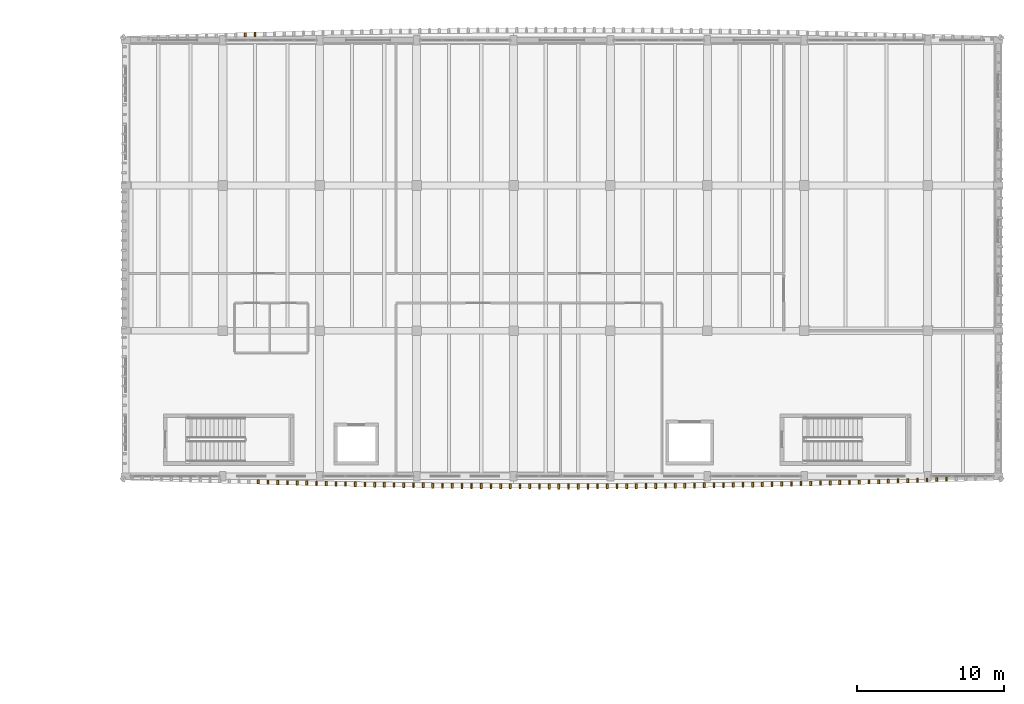
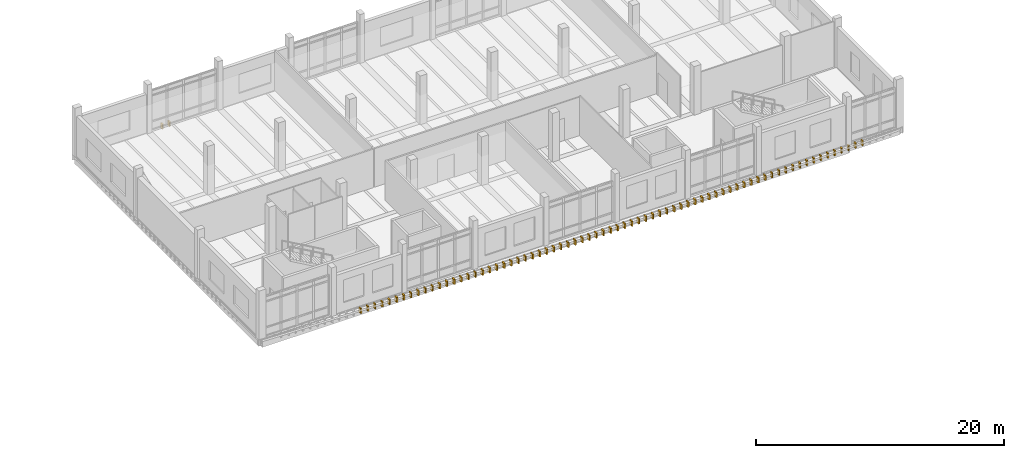
# One storey, part 47 of 50: 74 coverings.
"""IFC4 building model written with IfcOpenShell, lengths in metres."""

from ifc_helpers import new_model, si_unit, direction, frame, origin, origin_2d, place, context, subcontext, project, spatial, rectangle, extrude, material, layer, layer_set, type_object, element, save


model = new_model("IFC4")

# Units and contexts
model_context = context("Model", 3, precision=1e-05, world=origin(), true_north=direction((0.0, 1.0)))
body_context = subcontext(model_context, "Body", "Model", "MODEL_VIEW")
ifc_project = project(units=[si_unit("LENGTHUNIT", "METRE"), si_unit("AREAUNIT", "SQUARE_METRE"), si_unit("VOLUMEUNIT", "CUBIC_METRE"), si_unit("PLANEANGLEUNIT", "RADIAN"), si_unit("MASSUNIT", "GRAM", prefix="KILO")], contexts=[model_context])

# Site, building, storey
site_placement = place(None, origin())
site = spatial("IfcSite", under=ifc_project, at=site_placement, CompositionType="ELEMENT")
building_placement = place(site_placement, origin())
building = spatial("IfcBuilding", under=site, at=building_placement, Name="Dornvale Research Institute", CompositionType="ELEMENT")
storey_placement = place(building_placement, frame((0.0, 0.0, 19.800048828125)))
storey = spatial("IfcBuildingStorey", under=building, at=storey_placement, Name="L04", CompositionType="ELEMENT", Elevation=19.800048828125)

# Coverings
ifc_material = material(Name="Polychrome Glazed Terracotta Visor Rib Ceramic", Category="masonry")
ifc_layer = layer(ifc_material, 0.1201171875)
ifc_layer_set = layer_set([ifc_layer], Name="Polychrome Glazed Terracotta Visor Rib Ceramic")
covering_type = type_object("IfcCoveringType", Name="Covering_VisorBlade_Low", PredefinedType="CLADDING", material=ifc_layer_set)
covering_1_placement = place(storey_placement, frame((127.825439453125, 92.015869140625, -0.489990234375), z_axis=(0.0, 0.0, 1.0), x_axis=(0.0, 1.0, 0.0)))
element("IfcCovering", 1, at=covering_1_placement, inside=storey, type_object=covering_type, Name="L04 V4 canted glazed terracotta visor blade #2546", PredefinedType="CLADDING", context=body_context, shape_type="SweptSolid", body=[
    extrude(rectangle(XDim=0.281982421875, YDim=0.1201171875, at=origin_2d()), origin(), (0.0, 0.0, 1.0), 0.5),
])
covering_2_placement = place(storey_placement, frame((128.4853515625, 91.996337890625, -0.489990234375), z_axis=(0.0, 0.0, 1.0), x_axis=(0.0, 1.0, 0.0)))
element("IfcCovering", 2, at=covering_2_placement, inside=storey, type_object=covering_type, Name="L04 V4 canted glazed terracotta visor blade #2547", PredefinedType="CLADDING", context=body_context, shape_type="SweptSolid", body=[
    extrude(rectangle(XDim=0.287109375, YDim=0.1201171875, at=origin_2d()), origin(), (0.0, 0.0, 1.0), 0.5),
])
covering_3_placement = place(storey_placement, frame((129.14501953125, 91.977783203125, -0.489990234375), z_axis=(0.0, 0.0, 1.0), x_axis=(0.0, 1.0, 0.0)))
element("IfcCovering", 3, at=covering_3_placement, inside=storey, type_object=covering_type, Name="L04 V4 canted glazed terracotta visor blade #2548", PredefinedType="CLADDING", context=body_context, shape_type="SweptSolid", body=[
    extrude(rectangle(XDim=0.2919921875, YDim=0.1201171875, at=origin_2d()), origin(), (0.0, 0.0, 1.0), 0.5),
])
covering_4_placement = place(storey_placement, frame((129.804931640625, 91.959716796875, -0.489990234375), z_axis=(0.0, 0.0, 1.0), x_axis=(0.0, 1.0, 0.0)))
element("IfcCovering", 4, at=covering_4_placement, inside=storey, type_object=covering_type, Name="L04 V4 canted glazed terracotta visor blade #2549", PredefinedType="CLADDING", context=body_context, shape_type="SweptSolid", body=[
    extrude(rectangle(XDim=0.297119140625, YDim=0.1201171875, at=origin_2d()), origin(), (0.0, 0.0, 1.0), 0.5),
])
covering_5_placement = place(storey_placement, frame((130.464599609375, 91.9423828125, -0.489990234375), z_axis=(0.0, 0.0, 1.0), x_axis=(0.0, 1.0, 0.0)))
element("IfcCovering", 5, at=covering_5_placement, inside=storey, type_object=covering_type, Name="L04 V4 canted glazed terracotta visor blade #2550", PredefinedType="CLADDING", context=body_context, shape_type="SweptSolid", body=[
    extrude(rectangle(XDim=0.301025390625, YDim=0.1201171875, at=origin_2d()), origin(), (0.0, 0.0, 1.0), 0.5),
])
covering_6_placement = place(storey_placement, frame((131.12451171875, 91.92626953125, -0.489990234375), z_axis=(0.0, 0.0, 1.0), x_axis=(0.0, 1.0, 0.0)))
element("IfcCovering", 6, at=covering_6_placement, inside=storey, type_object=covering_type, Name="L04 V4 canted glazed terracotta visor blade #2551", PredefinedType="CLADDING", context=body_context, shape_type="SweptSolid", body=[
    extrude(rectangle(XDim=0.304931640625, YDim=0.1201171875, at=origin_2d()), origin(), (0.0, 0.0, 1.0), 0.5),
])
covering_7_placement = place(storey_placement, frame((131.784423828125, 91.909912109375, -0.489990234375), z_axis=(0.0, 0.0, 1.0), x_axis=(0.0, 1.0, 0.0)))
element("IfcCovering", 7, at=covering_7_placement, inside=storey, type_object=covering_type, Name="L04 V4 canted glazed terracotta visor blade #2552", PredefinedType="CLADDING", context=body_context, shape_type="SweptSolid", body=[
    extrude(rectangle(XDim=0.30908203125, YDim=0.1201171875, at=origin_2d()), origin(), (0.0, 0.0, 1.0), 0.5),
])
covering_8_placement = place(storey_placement, frame((132.4443359375, 91.89453125, -0.489990234375), z_axis=(0.0, 0.0, 1.0), x_axis=(0.0, 1.0, 0.0)))
element("IfcCovering", 8, at=covering_8_placement, inside=storey, type_object=covering_type, Name="L04 V4 canted glazed terracotta visor blade #2553", PredefinedType="CLADDING", context=body_context, shape_type="SweptSolid", body=[
    extrude(rectangle(XDim=0.31298828125, YDim=0.1201171875, at=origin_2d()), origin(), (0.0, 0.0, 1.0), 0.5),
])
covering_9_placement = place(storey_placement, frame((133.104248046875, 91.879638671875, -0.489990234375), z_axis=(0.0, 0.0, 1.0), x_axis=(0.0, 1.0, 0.0)))
element("IfcCovering", 9, at=covering_9_placement, inside=storey, type_object=covering_type, Name="L04 V4 canted glazed terracotta visor blade #2554", PredefinedType="CLADDING", context=body_context, shape_type="SweptSolid", body=[
    extrude(rectangle(XDim=0.31689453125, YDim=0.1201171875, at=origin_2d()), origin(), (0.0, 0.0, 1.0), 0.5),
])
covering_10_placement = place(storey_placement, frame((133.763916015625, 91.864990234375, -0.489990234375), z_axis=(0.0, 0.0, 1.0), x_axis=(0.0, 1.0, 0.0)))
element("IfcCovering", 10, at=covering_10_placement, inside=storey, type_object=covering_type, Name="L04 V4 canted glazed terracotta visor blade #2555", PredefinedType="CLADDING", context=body_context, shape_type="SweptSolid", body=[
    extrude(rectangle(XDim=0.321044921875, YDim=0.1201171875, at=origin_2d()), origin(), (0.0, 0.0, 1.0), 0.5),
])
covering_11_placement = place(storey_placement, frame((134.423828125, 91.851806640625, -0.489990234375), z_axis=(0.0, 0.0, 1.0), x_axis=(0.0, 1.0, 0.0)))
element("IfcCovering", 11, at=covering_11_placement, inside=storey, type_object=covering_type, Name="L04 V4 canted glazed terracotta visor blade #2556", PredefinedType="CLADDING", context=body_context, shape_type="SweptSolid", body=[
    extrude(rectangle(XDim=0.323974609375, YDim=0.1201171875, at=origin_2d()), origin(), (0.0, 0.0, 1.0), 0.5),
])
covering_12_placement = place(storey_placement, frame((135.083740234375, 91.8388671875, -0.489990234375), z_axis=(0.0, 0.0, 1.0), x_axis=(0.0, 1.0, 0.0)))
element("IfcCovering", 12, at=covering_12_placement, inside=storey, type_object=covering_type, Name="L04 V4 canted glazed terracotta visor blade #2557", PredefinedType="CLADDING", context=body_context, shape_type="SweptSolid", body=[
    extrude(rectangle(XDim=0.326904296875, YDim=0.1201171875, at=origin_2d()), origin(), (0.0, 0.0, 1.0), 0.5),
])
covering_13_placement = place(storey_placement, frame((135.743896484375, 91.826904296875, -0.489990234375), z_axis=(0.0, 0.0, 1.0), x_axis=(0.0, 1.0, 0.0)))
element("IfcCovering", 13, at=covering_13_placement, inside=storey, type_object=covering_type, Name="L04 V4 canted glazed terracotta visor blade #2558", PredefinedType="CLADDING", context=body_context, shape_type="SweptSolid", body=[
    extrude(rectangle(XDim=0.330078125, YDim=0.1201171875, at=origin_2d()), origin(), (0.0, 0.0, 1.0), 0.5),
])
covering_14_placement = place(storey_placement, frame((136.40380859375, 91.815185546875, -0.489990234375), z_axis=(0.0, 0.0, 1.0), x_axis=(0.0, 1.0, 0.0)))
element("IfcCovering", 14, at=covering_14_placement, inside=storey, type_object=covering_type, Name="L04 V4 canted glazed terracotta visor blade #2559", PredefinedType="CLADDING", context=body_context, shape_type="SweptSolid", body=[
    extrude(rectangle(XDim=0.3330078125, YDim=0.1201171875, at=origin_2d()), origin(), (0.0, 0.0, 1.0), 0.5),
])
covering_15_placement = place(storey_placement, frame((137.063720703125, 91.8037109375, -0.489990234375), z_axis=(0.0, 0.0, 1.0), x_axis=(0.0, 1.0, 0.0)))
element("IfcCovering", 15, at=covering_15_placement, inside=storey, type_object=covering_type, Name="L04 V4 canted glazed terracotta visor blade #2560", PredefinedType="CLADDING", context=body_context, shape_type="SweptSolid", body=[
    extrude(rectangle(XDim=0.3359375, YDim=0.1201171875, at=origin_2d()), origin(), (0.0, 0.0, 1.0), 0.5),
])
covering_16_placement = place(storey_placement, frame((137.723388671875, 91.793212890625, -0.489990234375), z_axis=(0.0, 0.0, 1.0), x_axis=(0.0, 1.0, 0.0)))
element("IfcCovering", 16, at=covering_16_placement, inside=storey, type_object=covering_type, Name="L04 V4 canted glazed terracotta visor blade #2561", PredefinedType="CLADDING", context=body_context, shape_type="SweptSolid", body=[
    extrude(rectangle(XDim=0.339111328125, YDim=0.1201171875, at=origin_2d()), origin(), (0.0, 0.0, 1.0), 0.5),
])
covering_17_placement = place(storey_placement, frame((138.383544921875, 91.783447265625, -0.489990234375), z_axis=(0.0, 0.0, 1.0), x_axis=(0.0, 1.0, 0.0)))
element("IfcCovering", 17, at=covering_17_placement, inside=storey, type_object=covering_type, Name="L04 V4 canted glazed terracotta visor blade #2562", PredefinedType="CLADDING", context=body_context, shape_type="SweptSolid", body=[
    extrude(rectangle(XDim=0.341064453125, YDim=0.1201171875, at=origin_2d()), origin(), (0.0, 0.0, 1.0), 0.5),
])
covering_18_placement = place(storey_placement, frame((139.04345703125, 91.774169921875, -0.489990234375), z_axis=(0.0, 0.0, 1.0), x_axis=(0.0, 1.0, 0.0)))
element("IfcCovering", 18, at=covering_18_placement, inside=storey, type_object=covering_type, Name="L04 V4 canted glazed terracotta visor blade #2563", PredefinedType="CLADDING", context=body_context, shape_type="SweptSolid", body=[
    extrude(rectangle(XDim=0.343994140625, YDim=0.1201171875, at=origin_2d()), origin(), (0.0, 0.0, 1.0), 0.5),
])
covering_19_placement = place(storey_placement, frame((139.703369140625, 91.765625, -0.489990234375), z_axis=(0.0, 0.0, 1.0), x_axis=(0.0, 1.0, 0.0)))
element("IfcCovering", 19, at=covering_19_placement, inside=storey, type_object=covering_type, Name="L04 V4 canted glazed terracotta visor blade #2564", PredefinedType="CLADDING", context=body_context, shape_type="SweptSolid", body=[
    extrude(rectangle(XDim=0.345947265625, YDim=0.1201171875, at=origin_2d()), origin(), (0.0, 0.0, 1.0), 0.5),
])
covering_20_placement = place(storey_placement, frame((140.36328125, 91.75732421875, -0.489990234375), z_axis=(0.0, 0.0, 1.0), x_axis=(0.0, 1.0, 0.0)))
element("IfcCovering", 20, at=covering_20_placement, inside=storey, type_object=covering_type, Name="L04 V4 canted glazed terracotta visor blade #2565", PredefinedType="CLADDING", context=body_context, shape_type="SweptSolid", body=[
    extrude(rectangle(XDim=0.347900390625, YDim=0.1201171875, at=origin_2d()), origin(), (0.0, 0.0, 1.0), 0.5),
])
covering_21_placement = place(storey_placement, frame((141.023193359375, 91.750244140625, -0.489990234375), z_axis=(0.0, 0.0, 1.0), x_axis=(0.0, 1.0, 0.0)))
element("IfcCovering", 21, at=covering_21_placement, inside=storey, type_object=covering_type, Name="L04 V4 canted glazed terracotta visor blade #2566", PredefinedType="CLADDING", context=body_context, shape_type="SweptSolid", body=[
    extrude(rectangle(XDim=0.35009765625, YDim=0.1201171875, at=origin_2d()), origin(), (0.0, 0.0, 1.0), 0.5),
])
covering_22_placement = place(storey_placement, frame((141.683349609375, 91.7431640625, -0.489990234375), z_axis=(0.0, 0.0, 1.0), x_axis=(0.0, 1.0, 0.0)))
element("IfcCovering", 22, at=covering_22_placement, inside=storey, type_object=covering_type, Name="L04 V4 canted glazed terracotta visor blade #2567", PredefinedType="CLADDING", context=body_context, shape_type="SweptSolid", body=[
    extrude(rectangle(XDim=0.35205078125, YDim=0.1201171875, at=origin_2d()), origin(), (0.0, 0.0, 1.0), 0.5),
])
covering_23_placement = place(storey_placement, frame((142.34326171875, 91.737548828125, -0.489990234375), z_axis=(0.0, 0.0, 1.0), x_axis=(0.0, 1.0, 0.0)))
element("IfcCovering", 23, at=covering_23_placement, inside=storey, type_object=covering_type, Name="L04 V4 canted glazed terracotta visor blade #2568", PredefinedType="CLADDING", context=body_context, shape_type="SweptSolid", body=[
    extrude(rectangle(XDim=0.35302734375, YDim=0.1201171875, at=origin_2d()), origin(), (0.0, 0.0, 1.0), 0.5),
])
covering_24_placement = place(storey_placement, frame((143.00341796875, 91.731689453125, -0.489990234375), z_axis=(0.0, 0.0, 1.0), x_axis=(0.0, 1.0, 0.0)))
element("IfcCovering", 24, at=covering_24_placement, inside=storey, type_object=covering_type, Name="L04 V4 canted glazed terracotta visor blade #2569", PredefinedType="CLADDING", context=body_context, shape_type="SweptSolid", body=[
    extrude(rectangle(XDim=0.35498046875, YDim=0.1201171875, at=origin_2d()), origin(), (0.0, 0.0, 1.0), 0.5),
])
covering_25_placement = place(storey_placement, frame((143.6630859375, 91.726806640625, -0.489990234375), z_axis=(0.0, 0.0, 1.0), x_axis=(0.0, 1.0, 0.0)))
element("IfcCovering", 25, at=covering_25_placement, inside=storey, type_object=covering_type, Name="L04 V4 canted glazed terracotta visor blade #2570", PredefinedType="CLADDING", context=body_context, shape_type="SweptSolid", body=[
    extrude(rectangle(XDim=0.35595703125, YDim=0.1201171875, at=origin_2d()), origin(), (0.0, 0.0, 1.0), 0.5),
])
covering_26_placement = place(storey_placement, frame((144.3232421875, 91.722900390625, -0.489990234375), z_axis=(0.0, 0.0, 1.0), x_axis=(0.0, 1.0, 0.0)))
element("IfcCovering", 26, at=covering_26_placement, inside=storey, type_object=covering_type, Name="L04 V4 canted glazed terracotta visor blade #2571", PredefinedType="CLADDING", context=body_context, shape_type="SweptSolid", body=[
    extrude(rectangle(XDim=0.35693359375, YDim=0.1201171875, at=origin_2d()), origin(), (0.0, 0.0, 1.0), 0.5),
])
covering_27_placement = place(storey_placement, frame((144.983154296875, 91.718994140625, -0.489990234375), z_axis=(0.0, 0.0, 1.0), x_axis=(0.0, 1.0, 0.0)))
element("IfcCovering", 27, at=covering_27_placement, inside=storey, type_object=covering_type, Name="L04 V4 canted glazed terracotta visor blade #2572", PredefinedType="CLADDING", context=body_context, shape_type="SweptSolid", body=[
    extrude(rectangle(XDim=0.35791015625, YDim=0.1201171875, at=origin_2d()), origin(), (0.0, 0.0, 1.0), 0.5),
])
for number, where, z_axis, x_axis, name in (
    (28, (145.643310546875, 91.7158203125, -0.489990234375), (0.0, 0.0, 1.0), (0.0, 1.0, 0.0), "L04 V4 canted glazed terracotta visor blade #2573"),
    (29, (146.30322265625, 91.7138671875, -0.489990234375), (0.0, 0.0, 1.0), (0.0, 1.0, 0.0), "L04 V4 canted glazed terracotta visor blade #2574"),
):
    element("IfcCovering", number, at=place(storey_placement, frame(where, z_axis=z_axis, x_axis=x_axis)), inside=storey, type_object=covering_type, Name=name, PredefinedType="CLADDING", context=body_context, shape_type="SweptSolid", body=[
        extrude(rectangle(XDim=0.35888671875, YDim=0.1201171875, at=origin_2d()), origin(), (0.0, 0.0, 1.0), 0.5),
    ])
for number, where, z_axis, x_axis, name in (
    (30, (146.963134765625, 91.711669921875, -0.489990234375), (0.0, 0.0, 1.0), (0.0, 1.0, 0.0), "L04 V4 canted glazed terracotta visor blade #2575"),
    (31, (147.623291015625, 91.7109375, -0.489990234375), (0.0, 0.0, 1.0), (0.0, 1.0, 0.0), "L04 V4 canted glazed terracotta visor blade #2576"),
    (32, (148.283203125, 91.710205078125, -0.489990234375), (0.0, 0.0, 1.0), (0.0, 1.0, 0.0), "L04 V4 canted glazed terracotta visor blade #2577"),
    (33, (148.943115234375, 91.71044921875, -0.489990234375), (0.0, 0.0, 1.0), (0.0, 1.0, 0.0), "L04 V4 canted glazed terracotta visor blade #2578"),
    (34, (149.603271484375, 91.711181640625, -0.489990234375), (0.0, 0.0, 1.0), (0.0, 1.0, 0.0), "L04 V4 canted glazed terracotta visor blade #2579"),
):
    element("IfcCovering", number, at=place(storey_placement, frame(where, z_axis=z_axis, x_axis=x_axis)), inside=storey, type_object=covering_type, Name=name, PredefinedType="CLADDING", context=body_context, shape_type="SweptSolid", body=[
        extrude(rectangle(XDim=0.360107421875, YDim=0.1201171875, at=origin_2d()), origin(), (0.0, 0.0, 1.0), 0.5),
    ])
for number, where, z_axis, x_axis, name in (
    (35, (150.26318359375, 91.71240234375, -0.489990234375), (0.0, 0.0, 1.0), (0.0, 1.0, 0.0), "L04 V4 canted glazed terracotta visor blade #2580"),
    (36, (150.923095703125, 91.714599609375, -0.489990234375), (0.0, 0.0, 1.0), (0.0, 1.0, 0.0), "L04 V4 canted glazed terracotta visor blade #2581"),
):
    element("IfcCovering", number, at=place(storey_placement, frame(where, z_axis=z_axis, x_axis=x_axis)), inside=storey, type_object=covering_type, Name=name, PredefinedType="CLADDING", context=body_context, shape_type="SweptSolid", body=[
        extrude(rectangle(XDim=0.35888671875, YDim=0.1201171875, at=origin_2d()), origin(), (0.0, 0.0, 1.0), 0.5),
    ])
covering_28_placement = place(storey_placement, frame((151.583251953125, 91.717041015625, -0.489990234375), z_axis=(0.0, 0.0, 1.0), x_axis=(0.0, 1.0, 0.0)))
element("IfcCovering", 37, at=covering_28_placement, inside=storey, type_object=covering_type, Name="L04 V4 canted glazed terracotta visor blade #2582", PredefinedType="CLADDING", context=body_context, shape_type="SweptSolid", body=[
    extrude(rectangle(XDim=0.35791015625, YDim=0.1201171875, at=origin_2d()), origin(), (0.0, 0.0, 1.0), 0.5),
])
covering_29_placement = place(storey_placement, frame((152.2431640625, 91.720703125, -0.489990234375), z_axis=(0.0, 0.0, 1.0), x_axis=(0.0, 1.0, 0.0)))
element("IfcCovering", 38, at=covering_29_placement, inside=storey, type_object=covering_type, Name="L04 V4 canted glazed terracotta visor blade #2583", PredefinedType="CLADDING", context=body_context, shape_type="SweptSolid", body=[
    extrude(rectangle(XDim=0.35693359375, YDim=0.1201171875, at=origin_2d()), origin(), (0.0, 0.0, 1.0), 0.5),
])
covering_30_placement = place(storey_placement, frame((152.9033203125, 91.724609375, -0.489990234375), z_axis=(0.0, 0.0, 1.0), x_axis=(0.0, 1.0, 0.0)))
element("IfcCovering", 39, at=covering_30_placement, inside=storey, type_object=covering_type, Name="L04 V4 canted glazed terracotta visor blade #2584", PredefinedType="CLADDING", context=body_context, shape_type="SweptSolid", body=[
    extrude(rectangle(XDim=0.35595703125, YDim=0.1201171875, at=origin_2d()), origin(), (0.0, 0.0, 1.0), 0.5),
])
covering_31_placement = place(storey_placement, frame((153.563232421875, 91.728515625, -0.489990234375), z_axis=(0.0, 0.0, 1.0), x_axis=(0.0, 1.0, 0.0)))
element("IfcCovering", 40, at=covering_31_placement, inside=storey, type_object=covering_type, Name="L04 V4 canted glazed terracotta visor blade #2585", PredefinedType="CLADDING", context=body_context, shape_type="SweptSolid", body=[
    extrude(rectangle(XDim=0.35498046875, YDim=0.1201171875, at=origin_2d()), origin(), (0.0, 0.0, 1.0), 0.5),
])
covering_32_placement = place(storey_placement, frame((154.22314453125, 91.73388671875, -0.489990234375), z_axis=(0.0, 0.0, 1.0), x_axis=(0.0, 1.0, 0.0)))
element("IfcCovering", 41, at=covering_32_placement, inside=storey, type_object=covering_type, Name="L04 V4 canted glazed terracotta visor blade #2586", PredefinedType="CLADDING", context=body_context, shape_type="SweptSolid", body=[
    extrude(rectangle(XDim=0.35400390625, YDim=0.1201171875, at=origin_2d()), origin(), (0.0, 0.0, 1.0), 0.5),
])
covering_33_placement = place(storey_placement, frame((154.883056640625, 91.739013671875, -0.489990234375), z_axis=(0.0, 0.0, 1.0), x_axis=(0.0, 1.0, 0.0)))
element("IfcCovering", 42, at=covering_33_placement, inside=storey, type_object=covering_type, Name="L04 V4 canted glazed terracotta visor blade #2587", PredefinedType="CLADDING", context=body_context, shape_type="SweptSolid", body=[
    extrude(rectangle(XDim=0.35302734375, YDim=0.1201171875, at=origin_2d()), origin(), (0.0, 0.0, 1.0), 0.5),
])
covering_34_placement = place(storey_placement, frame((155.543212890625, 91.745849609375, -0.489990234375), z_axis=(0.0, 0.0, 1.0), x_axis=(0.0, 1.0, 0.0)))
element("IfcCovering", 43, at=covering_34_placement, inside=storey, type_object=covering_type, Name="L04 V4 canted glazed terracotta visor blade #2588", PredefinedType="CLADDING", context=body_context, shape_type="SweptSolid", body=[
    extrude(rectangle(XDim=0.35107421875, YDim=0.1201171875, at=origin_2d()), origin(), (0.0, 0.0, 1.0), 0.5),
])
covering_35_placement = place(storey_placement, frame((156.203125, 91.7529296875, -0.489990234375), z_axis=(0.0, 0.0, 1.0), x_axis=(0.0, 1.0, 0.0)))
element("IfcCovering", 44, at=covering_35_placement, inside=storey, type_object=covering_type, Name="L04 V4 canted glazed terracotta visor blade #2589", PredefinedType="CLADDING", context=body_context, shape_type="SweptSolid", body=[
    extrude(rectangle(XDim=0.34912109375, YDim=0.1201171875, at=origin_2d()), origin(), (0.0, 0.0, 1.0), 0.5),
])
covering_36_placement = place(storey_placement, frame((156.863037109375, 91.76025390625, -0.489990234375), z_axis=(0.0, 0.0, 1.0), x_axis=(0.0, 1.0, 0.0)))
element("IfcCovering", 45, at=covering_36_placement, inside=storey, type_object=covering_type, Name="L04 V4 canted glazed terracotta visor blade #2590", PredefinedType="CLADDING", context=body_context, shape_type="SweptSolid", body=[
    extrude(rectangle(XDim=0.346923828125, YDim=0.1201171875, at=origin_2d()), origin(), (0.0, 0.0, 1.0), 0.5),
])
covering_37_placement = place(storey_placement, frame((157.52294921875, 91.768798828125, -0.489990234375), z_axis=(0.0, 0.0, 1.0), x_axis=(0.0, 1.0, 0.0)))
element("IfcCovering", 46, at=covering_37_placement, inside=storey, type_object=covering_type, Name="L04 V4 canted glazed terracotta visor blade #2591", PredefinedType="CLADDING", context=body_context, shape_type="SweptSolid", body=[
    extrude(rectangle(XDim=0.344970703125, YDim=0.1201171875, at=origin_2d()), origin(), (0.0, 0.0, 1.0), 0.5),
])
covering_38_placement = place(storey_placement, frame((158.18310546875, 91.777099609375, -0.489990234375), z_axis=(0.0, 0.0, 1.0), x_axis=(0.0, 1.0, 0.0)))
element("IfcCovering", 47, at=covering_38_placement, inside=storey, type_object=covering_type, Name="L04 V4 canted glazed terracotta visor blade #2592", PredefinedType="CLADDING", context=body_context, shape_type="SweptSolid", body=[
    extrude(rectangle(XDim=0.343017578125, YDim=0.1201171875, at=origin_2d()), origin(), (0.0, 0.0, 1.0), 0.5),
])
covering_39_placement = place(storey_placement, frame((158.843017578125, 91.78662109375, -0.489990234375), z_axis=(0.0, 0.0, 1.0), x_axis=(0.0, 1.0, 0.0)))
element("IfcCovering", 48, at=covering_39_placement, inside=storey, type_object=covering_type, Name="L04 V4 canted glazed terracotta visor blade #2593", PredefinedType="CLADDING", context=body_context, shape_type="SweptSolid", body=[
    extrude(rectangle(XDim=0.341064453125, YDim=0.1201171875, at=origin_2d()), origin(), (0.0, 0.0, 1.0), 0.5),
])
covering_40_placement = place(storey_placement, frame((159.5029296875, 91.796875, -0.489990234375), z_axis=(0.0, 0.0, 1.0), x_axis=(0.0, 1.0, 0.0)))
element("IfcCovering", 49, at=covering_40_placement, inside=storey, type_object=covering_type, Name="L04 V4 canted glazed terracotta visor blade #2594", PredefinedType="CLADDING", context=body_context, shape_type="SweptSolid", body=[
    extrude(rectangle(XDim=0.337890625, YDim=0.1201171875, at=origin_2d()), origin(), (0.0, 0.0, 1.0), 0.5),
])
covering_41_placement = place(storey_placement, frame((160.162841796875, 91.807373046875, -0.489990234375), z_axis=(0.0, 0.0, 1.0), x_axis=(0.0, 1.0, 0.0)))
element("IfcCovering", 50, at=covering_41_placement, inside=storey, type_object=covering_type, Name="L04 V4 canted glazed terracotta visor blade #2595", PredefinedType="CLADDING", context=body_context, shape_type="SweptSolid", body=[
    extrude(rectangle(XDim=0.3349609375, YDim=0.1201171875, at=origin_2d()), origin(), (0.0, 0.0, 1.0), 0.5),
])
covering_42_placement = place(storey_placement, frame((160.82275390625, 91.819091796875, -0.489990234375), z_axis=(0.0, 0.0, 1.0), x_axis=(0.0, 1.0, 0.0)))
element("IfcCovering", 51, at=covering_42_placement, inside=storey, type_object=covering_type, Name="L04 V4 canted glazed terracotta visor blade #2596", PredefinedType="CLADDING", context=body_context, shape_type="SweptSolid", body=[
    extrude(rectangle(XDim=0.33203125, YDim=0.1201171875, at=origin_2d()), origin(), (0.0, 0.0, 1.0), 0.5),
])
covering_43_placement = place(storey_placement, frame((161.482666015625, 91.830810546875, -0.489990234375), z_axis=(0.0, 0.0, 1.0), x_axis=(0.0, 1.0, 0.0)))
element("IfcCovering", 52, at=covering_43_placement, inside=storey, type_object=covering_type, Name="L04 V4 canted glazed terracotta visor blade #2597", PredefinedType="CLADDING", context=body_context, shape_type="SweptSolid", body=[
    extrude(rectangle(XDim=0.3291015625, YDim=0.1201171875, at=origin_2d()), origin(), (0.0, 0.0, 1.0), 0.5),
])
covering_44_placement = place(storey_placement, frame((162.142578125, 91.843505859375, -0.489990234375), z_axis=(0.0, 0.0, 1.0), x_axis=(0.0, 1.0, 0.0)))
element("IfcCovering", 53, at=covering_44_placement, inside=storey, type_object=covering_type, Name="L04 V4 canted glazed terracotta visor blade #2598", PredefinedType="CLADDING", context=body_context, shape_type="SweptSolid", body=[
    extrude(rectangle(XDim=0.325927734375, YDim=0.1201171875, at=origin_2d()), origin(), (0.0, 0.0, 1.0), 0.5),
])
covering_45_placement = place(storey_placement, frame((162.802490234375, 91.8564453125, -0.489990234375), z_axis=(0.0, 0.0, 1.0), x_axis=(0.0, 1.0, 0.0)))
element("IfcCovering", 54, at=covering_45_placement, inside=storey, type_object=covering_type, Name="L04 V4 canted glazed terracotta visor blade #2599", PredefinedType="CLADDING", context=body_context, shape_type="SweptSolid", body=[
    extrude(rectangle(XDim=0.322998046875, YDim=0.1201171875, at=origin_2d()), origin(), (0.0, 0.0, 1.0), 0.5),
])
covering_46_placement = place(storey_placement, frame((163.46240234375, 91.8701171875, -0.489990234375), z_axis=(0.0, 0.0, 1.0), x_axis=(0.0, 1.0, 0.0)))
element("IfcCovering", 55, at=covering_46_placement, inside=storey, type_object=covering_type, Name="L04 V4 canted glazed terracotta visor blade #2600", PredefinedType="CLADDING", context=body_context, shape_type="SweptSolid", body=[
    extrude(rectangle(XDim=0.319091796875, YDim=0.1201171875, at=origin_2d()), origin(), (0.0, 0.0, 1.0), 0.5),
])
covering_47_placement = place(storey_placement, frame((164.122314453125, 91.884521484375, -0.489990234375), z_axis=(0.0, 0.0, 1.0), x_axis=(0.0, 1.0, 0.0)))
element("IfcCovering", 56, at=covering_47_placement, inside=storey, type_object=covering_type, Name="L04 V4 canted glazed terracotta visor blade #2601", PredefinedType="CLADDING", context=body_context, shape_type="SweptSolid", body=[
    extrude(rectangle(XDim=0.31591796875, YDim=0.1201171875, at=origin_2d()), origin(), (0.0, 0.0, 1.0), 0.5),
])
covering_48_placement = place(storey_placement, frame((164.781982421875, 91.8994140625, -0.489990234375), z_axis=(0.0, 0.0, 1.0), x_axis=(0.0, 1.0, 0.0)))
element("IfcCovering", 57, at=covering_48_placement, inside=storey, type_object=covering_type, Name="L04 V4 canted glazed terracotta visor blade #2602", PredefinedType="CLADDING", context=body_context, shape_type="SweptSolid", body=[
    extrude(rectangle(XDim=0.31201171875, YDim=0.1201171875, at=origin_2d()), origin(), (0.0, 0.0, 1.0), 0.5),
])
covering_49_placement = place(storey_placement, frame((165.44189453125, 91.915283203125, -0.489990234375), z_axis=(0.0, 0.0, 1.0), x_axis=(0.0, 1.0, 0.0)))
element("IfcCovering", 58, at=covering_49_placement, inside=storey, type_object=covering_type, Name="L04 V4 canted glazed terracotta visor blade #2603", PredefinedType="CLADDING", context=body_context, shape_type="SweptSolid", body=[
    extrude(rectangle(XDim=0.30810546875, YDim=0.1201171875, at=origin_2d()), origin(), (0.0, 0.0, 1.0), 0.5),
])
covering_50_placement = place(storey_placement, frame((166.101806640625, 91.931640625, -0.489990234375), z_axis=(0.0, 0.0, 1.0), x_axis=(0.0, 1.0, 0.0)))
element("IfcCovering", 59, at=covering_50_placement, inside=storey, type_object=covering_type, Name="L04 V4 canted glazed terracotta visor blade #2604", PredefinedType="CLADDING", context=body_context, shape_type="SweptSolid", body=[
    extrude(rectangle(XDim=0.303955078125, YDim=0.1201171875, at=origin_2d()), origin(), (0.0, 0.0, 1.0), 0.5),
])
covering_51_placement = place(storey_placement, frame((166.76171875, 91.947998046875, -0.489990234375), z_axis=(0.0, 0.0, 1.0), x_axis=(0.0, 1.0, 0.0)))
element("IfcCovering", 60, at=covering_51_placement, inside=storey, type_object=covering_type, Name="L04 V4 canted glazed terracotta visor blade #2605", PredefinedType="CLADDING", context=body_context, shape_type="SweptSolid", body=[
    extrude(rectangle(XDim=0.300048828125, YDim=0.1201171875, at=origin_2d()), origin(), (0.0, 0.0, 1.0), 0.5),
])
covering_52_placement = place(storey_placement, frame((167.42138671875, 91.966064453125, -0.489990234375), z_axis=(0.0, 0.0, 1.0), x_axis=(0.0, 1.0, 0.0)))
element("IfcCovering", 61, at=covering_52_placement, inside=storey, type_object=covering_type, Name="L04 V4 canted glazed terracotta visor blade #2606", PredefinedType="CLADDING", context=body_context, shape_type="SweptSolid", body=[
    extrude(rectangle(XDim=0.294921875, YDim=0.1201171875, at=origin_2d()), origin(), (0.0, 0.0, 1.0), 0.5),
])
covering_53_placement = place(storey_placement, frame((168.081298828125, 91.984130859375, -0.489990234375), z_axis=(0.0, 0.0, 1.0), x_axis=(0.0, 1.0, 0.0)))
element("IfcCovering", 62, at=covering_53_placement, inside=storey, type_object=covering_type, Name="L04 V4 canted glazed terracotta visor blade #2607", PredefinedType="CLADDING", context=body_context, shape_type="SweptSolid", body=[
    extrude(rectangle(XDim=0.2900390625, YDim=0.1201171875, at=origin_2d()), origin(), (0.0, 0.0, 1.0), 0.5),
])
covering_54_placement = place(storey_placement, frame((168.7412109375, 92.002685546875, -0.489990234375), z_axis=(0.0, 0.0, 1.0), x_axis=(0.0, 1.0, 0.0)))
element("IfcCovering", 63, at=covering_54_placement, inside=storey, type_object=covering_type, Name="L04 V4 canted glazed terracotta visor blade #2608", PredefinedType="CLADDING", context=body_context, shape_type="SweptSolid", body=[
    extrude(rectangle(XDim=0.285888671875, YDim=0.1201171875, at=origin_2d()), origin(), (0.0, 0.0, 1.0), 0.5),
])
covering_55_placement = place(storey_placement, frame((169.40087890625, 92.022216796875, -0.489990234375), z_axis=(0.0, 0.0, 1.0), x_axis=(0.0, 1.0, 0.0)))
element("IfcCovering", 64, at=covering_55_placement, inside=storey, type_object=covering_type, Name="L04 V4 canted glazed terracotta visor blade #2609", PredefinedType="CLADDING", context=body_context, shape_type="SweptSolid", body=[
    extrude(rectangle(XDim=0.281005859375, YDim=0.1201171875, at=origin_2d()), origin(), (0.0, 0.0, 1.0), 0.5),
])
covering_56_placement = place(storey_placement, frame((170.060546875, 92.0419921875, -0.489990234375), z_axis=(0.0, 0.0, 1.0), x_axis=(0.0, 1.0, 0.0)))
element("IfcCovering", 65, at=covering_56_placement, inside=storey, type_object=covering_type, Name="L04 V4 canted glazed terracotta visor blade #2610", PredefinedType="CLADDING", context=body_context, shape_type="SweptSolid", body=[
    extrude(rectangle(XDim=0.27587890625, YDim=0.1201171875, at=origin_2d()), origin(), (0.0, 0.0, 1.0), 0.5),
])
covering_57_placement = place(storey_placement, frame((170.720458984375, 92.063232421875, -0.489990234375), z_axis=(0.0, 0.0, 1.0), x_axis=(0.0, 1.0, 0.0)))
element("IfcCovering", 66, at=covering_57_placement, inside=storey, type_object=covering_type, Name="L04 V4 canted glazed terracotta visor blade #2611", PredefinedType="CLADDING", context=body_context, shape_type="SweptSolid", body=[
    extrude(rectangle(XDim=0.27001953125, YDim=0.1201171875, at=origin_2d()), origin(), (0.0, 0.0, 1.0), 0.5),
])
covering_58_placement = place(storey_placement, frame((171.380126953125, 92.083984375, -0.489990234375), z_axis=(0.0, 0.0, 1.0), x_axis=(0.0, 1.0, 0.0)))
element("IfcCovering", 67, at=covering_58_placement, inside=storey, type_object=covering_type, Name="L04 V4 canted glazed terracotta visor blade #2612", PredefinedType="CLADDING", context=body_context, shape_type="SweptSolid", body=[
    extrude(rectangle(XDim=0.264892578125, YDim=0.1201171875, at=origin_2d()), origin(), (0.0, 0.0, 1.0), 0.5),
])
covering_59_placement = place(storey_placement, frame((172.039794921875, 92.105712890625, -0.489990234375), z_axis=(0.0, 0.0, 1.0), x_axis=(0.0, 1.0, 0.0)))
element("IfcCovering", 68, at=covering_59_placement, inside=storey, type_object=covering_type, Name="L04 V4 canted glazed terracotta visor blade #2613", PredefinedType="CLADDING", context=body_context, shape_type="SweptSolid", body=[
    extrude(rectangle(XDim=0.260009765625, YDim=0.1201171875, at=origin_2d()), origin(), (0.0, 0.0, 1.0), 0.5),
])
covering_60_placement = place(storey_placement, frame((172.699462890625, 92.12841796875, -0.489990234375), z_axis=(0.0, 0.0, 1.0), x_axis=(0.0, 1.0, 0.0)))
element("IfcCovering", 69, at=covering_60_placement, inside=storey, type_object=covering_type, Name="L04 V4 canted glazed terracotta visor blade #2614", PredefinedType="CLADDING", context=body_context, shape_type="SweptSolid", body=[
    extrude(rectangle(XDim=0.25390625, YDim=0.1201171875, at=origin_2d()), origin(), (0.0, 0.0, 1.0), 0.5),
])
covering_61_placement = place(storey_placement, frame((173.359130859375, 92.1513671875, -0.489990234375), z_axis=(0.0, 0.0, 1.0), x_axis=(0.0, 1.0, 0.0)))
element("IfcCovering", 70, at=covering_61_placement, inside=storey, type_object=covering_type, Name="L04 V4 canted glazed terracotta visor blade #2615", PredefinedType="CLADDING", context=body_context, shape_type="SweptSolid", body=[
    extrude(rectangle(XDim=0.248046875, YDim=0.1201171875, at=origin_2d()), origin(), (0.0, 0.0, 1.0), 0.5),
])
covering_62_placement = place(storey_placement, frame((174.018798828125, 92.175537109375, -0.489990234375), z_axis=(0.0, 0.0, 1.0), x_axis=(0.0, 1.0, 0.0)))
element("IfcCovering", 71, at=covering_62_placement, inside=storey, type_object=covering_type, Name="L04 V4 canted glazed terracotta visor blade #2616", PredefinedType="CLADDING", context=body_context, shape_type="SweptSolid", body=[
    extrude(rectangle(XDim=0.241943359375, YDim=0.1201171875, at=origin_2d()), origin(), (0.0, 0.0, 1.0), 0.5),
])
covering_63_placement = place(storey_placement, frame((174.6787109375, 92.199462890625, -0.489990234375), z_axis=(0.0, 0.0, 1.0), x_axis=(0.0, 1.0, 0.0)))
element("IfcCovering", 72, at=covering_63_placement, inside=storey, type_object=covering_type, Name="L04 V4 canted glazed terracotta visor blade #2617", PredefinedType="CLADDING", context=body_context, shape_type="SweptSolid", body=[
    extrude(rectangle(XDim=0.236083984375, YDim=0.1201171875, at=origin_2d()), origin(), (0.0, 0.0, 1.0), 0.5),
])
covering_64_placement = place(storey_placement, frame((127.59912109375, 122.477783203125, -0.489990234375), z_axis=(0.0, 0.0, 1.0), x_axis=(0.0, 1.0, 0.0)))
element("IfcCovering", 73, at=covering_64_placement, inside=storey, type_object=covering_type, Name="L04 V4 canted glazed terracotta visor blade #2698", PredefinedType="CLADDING", context=body_context, shape_type="SweptSolid", body=[
    extrude(rectangle(XDim=0.281005859375, YDim=0.1201171875, at=origin_2d()), origin(), (0.0, 0.0, 1.0), 0.5),
])
covering_65_placement = place(storey_placement, frame((126.939453125, 122.4580078125, -0.489990234375), z_axis=(0.0, 0.0, 1.0), x_axis=(0.0, 1.0, 0.0)))
element("IfcCovering", 74, at=covering_65_placement, inside=storey, type_object=covering_type, Name="L04 V4 canted glazed terracotta visor blade #2699", PredefinedType="CLADDING", context=body_context, shape_type="SweptSolid", body=[
    extrude(rectangle(XDim=0.27587890625, YDim=0.1201171875, at=origin_2d()), origin(), (0.0, 0.0, 1.0), 0.5),
])

save(model, "model.ifc")
